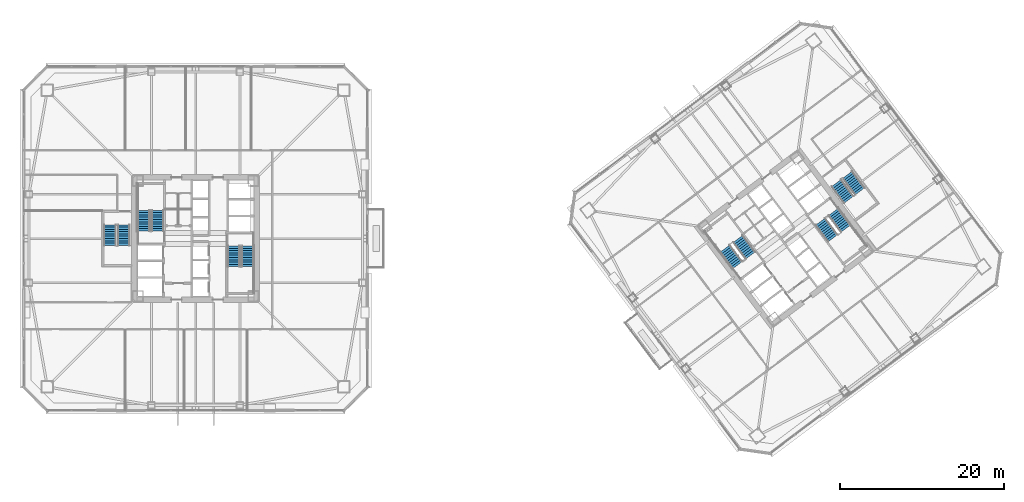
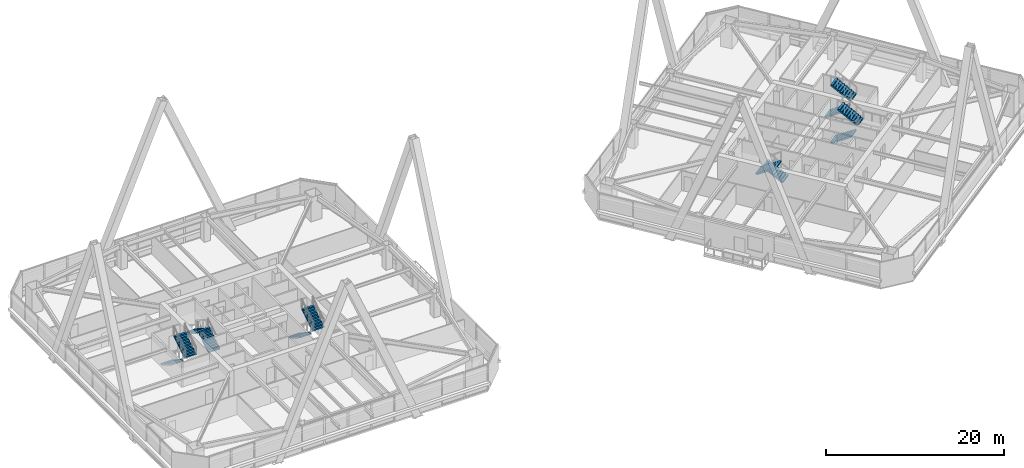
# One storey, part 47 of 54: 12 stair flights, 6 elements without a shape of their own.
"""IFC4 building model written with IfcOpenShell, lengths in metres."""

import ifcopenshell
import ifcopenshell.guid

model = None  # the IFC model being written
_history = None  # IfcOwnerHistory: only IFC2X3 demands one
_inside = {}  # id of a spatial element -> (the spatial element, [elements in it])
_under = {}  # id of a project, library or spatial element -> (it, [spatial elements below it])
_declared = {}  # id of a project -> (the project, [libraries it declares])
_typed = {}  # id of a type object -> (the type object, [elements of that type])
_made_of = {}  # id of a material, layer set ... -> (it, [elements and type objects made of it])


def new_model(schema):
    """Start an empty IFC model of exactly this schema.

    Asked for "IFC4X3", IfcOpenShell would pick the latest addendum, in which some entities
    have other attributes; the version numbers below select the first issue.
    IFC2X3 requires an IfcOwnerHistory on every rooted entity: one is made here for all.
    """
    global model, _history
    if schema == "IFC4X3":
        model = ifcopenshell.file(schema_version=(4, 3, 0, 0))
    else:
        model = ifcopenshell.file(schema=schema)
    _inside.clear()
    _under.clear()
    _declared.clear()
    _typed.clear()
    _made_of.clear()
    _history = None
    if model.schema == "IFC2X3":
        org = make("IfcOrganization", Name="unknown")
        user = make(
            "IfcPersonAndOrganization",
            ThePerson=make("IfcPerson", FamilyName="unknown"),
            TheOrganization=org,
        )
        app = make(
            "IfcApplication",
            ApplicationDeveloper=org,
            Version="unknown",
            ApplicationFullName="unknown",
            ApplicationIdentifier="unknown",
        )
        _history = make(
            "IfcOwnerHistory",
            OwningUser=user,
            OwningApplication=app,
            ChangeAction="ADDED",
            CreationDate=0,
        )
    return model


def make(cls, **values):
    """One entity of the class cls with the attributes given. An attribute that is None is left unset."""
    return model.create_entity(
        cls, **{name: value for name, value in values.items() if value is not None}
    )


def rooted(cls, **values):
    """An entity with a GlobalId (a new one), such as an element, a storey or a relation."""
    return make(cls, GlobalId=ifcopenshell.guid.new(), OwnerHistory=_history, **values)


def si_unit(unit_type, name, prefix=None):
    """IfcSIUnit, for example si_unit("LENGTHUNIT", "METRE", prefix="MILLI")."""
    return make("IfcSIUnit", UnitType=unit_type, Prefix=prefix, Name=name)


def assignment(units):
    """IfcUnitAssignment: the units of a project."""
    return None if units is None else make("IfcUnitAssignment", Units=units)


def point(xyz):
    """IfcCartesianPoint."""
    return None if xyz is None else make("IfcCartesianPoint", Coordinates=xyz)


def direction(xyz):
    """IfcDirection."""
    return None if xyz is None else make("IfcDirection", DirectionRatios=xyz)


def frame(location, z_axis=None, x_axis=None):
    """IfcAxis2Placement3D, a coordinate frame: its origin and axes. An axis left out is left unset."""
    return make(
        "IfcAxis2Placement3D",
        Location=point(location),
        Axis=direction(z_axis),
        RefDirection=direction(x_axis),
    )


def origin():
    """The frame at (0, 0, 0) with its axes left unset."""
    return frame((0.0, 0.0, 0.0))


def place(relative_to, where):
    """IfcLocalPlacement: puts the frame where relative to a parent placement (None: the world)."""
    return make(
        "IfcLocalPlacement", PlacementRelTo=relative_to, RelativePlacement=where
    )


def context(
    kind, dimensions, precision=None, world=None, true_north=None, identifier=None
):
    """IfcGeometricRepresentationContext, for example the 3D "Model" context."""
    return make(
        "IfcGeometricRepresentationContext",
        ContextIdentifier=identifier,
        ContextType=kind,
        CoordinateSpaceDimension=dimensions,
        Precision=precision,
        WorldCoordinateSystem=world,
        TrueNorth=true_north,
    )


def subcontext(parent, identifier, kind, view, scale=None):
    """IfcGeometricRepresentationSubContext, for example "Body" below "Model"."""
    return make(
        "IfcGeometricRepresentationSubContext",
        ContextIdentifier=identifier,
        ContextType=kind,
        ParentContext=parent,
        TargetScale=scale,
        TargetView=view,
    )


def project(units=None, contexts=None):
    """IfcProject with its units and contexts."""
    return rooted(
        "IfcProject",
        Name="project",
        RepresentationContexts=contexts,
        UnitsInContext=assignment(units),
    )


def spatial(cls, under=None, at=None, **own):
    """A site, building, storey or space (cls), placed at a placement, below another one or the project."""
    s = rooted(cls, ObjectPlacement=at, **own)
    if under is not None:
        _under.setdefault(under.id(), (under, []))[1].append(s)
    return s


def polyline(points):
    """IfcPolyline through the points."""
    return make("IfcPolyline", Points=[point(p) for p in points])


def outline(outer, holes=None, kind="AREA"):
    """IfcArbitraryClosedProfileDef: a profile drawn as a closed curve; with holes, ...WithVoids."""
    if holes is None:
        return make("IfcArbitraryClosedProfileDef", ProfileType=kind, OuterCurve=outer)
    return make(
        "IfcArbitraryProfileDefWithVoids",
        ProfileType=kind,
        OuterCurve=outer,
        InnerCurves=holes,
    )


def extrude(swept, where, along, depth):
    """IfcExtrudedAreaSolid: the profile swept, set in the frame where, extruded along a direction by depth."""
    return make(
        "IfcExtrudedAreaSolid",
        SweptArea=swept,
        Position=where,
        ExtrudedDirection=direction(along),
        Depth=depth,
    )


def shape(context_of_items, identifier, shape_type, items):
    """IfcShapeRepresentation: the items that make up one representation, for example the "Body"."""
    return make(
        "IfcShapeRepresentation",
        ContextOfItems=context_of_items,
        RepresentationIdentifier=identifier,
        RepresentationType=shape_type,
        Items=items,
    )


def material(Name=None, Category=None):
    """IfcMaterial."""
    return make("IfcMaterial", Name=Name, Category=Category)


def made_of(thing, what):
    """Note that an element or type object is made of a material, layer set ...; save() writes the relation."""
    if what is not None:
        _made_of.setdefault(what.id(), (what, []))[1].append(thing)
    return thing


def type_object(cls, material=None, **own):
    """A type object (cls), such as IfcWallType, which elements share."""
    return made_of(rooted(cls, **own), material)


def element(
    cls,
    number,
    at=None,
    inside=None,
    cuts=None,
    type_object=None,
    material=None,
    context=None,
    identifier="Body",
    shape_type=None,
    held_by="IfcProductDefinitionShape",
    body=None,
    shapes=None,
    **own,
):
    """One element of the class cls, such as IfcWall. Its Tag is "e" and its number.

    at: its placement. inside: the storey or other place that contains it. cuts: it is an
    opening in that element (IfcRelVoidsElement). A single representation is given by context,
    identifier, shape_type and body (its items); several are given by shapes. held_by: the class
    of the entity that holds the representations. save() writes the other relations.
    """
    e = rooted(cls, Tag="e%d" % number, ObjectPlacement=at, **own)
    if body is not None:
        shapes = [shape(context, identifier, shape_type, body)]
    if shapes is not None:
        e.Representation = make(held_by, Representations=shapes)
    if inside is not None:
        _inside.setdefault(inside.id(), (inside, []))[1].append(e)
    if cuts is not None:
        rooted(
            "IfcRelVoidsElement", RelatingBuildingElement=cuts, RelatedOpeningElement=e
        )
    if type_object is not None:
        _typed.setdefault(type_object.id(), (type_object, []))[1].append(e)
    return made_of(e, material)


def aggregate(whole, parts):
    """IfcRelAggregates: a whole, such as a stair, and the parts it consists of."""
    return rooted("IfcRelAggregates", RelatingObject=whole, RelatedObjects=parts)


def save(model, path):
    """Write the relations noted so far, then the file.

    IfcRelAggregates (storeys below a building ...), IfcRelContainedInSpatialStructure (elements
    in a storey), IfcRelDefinesByType, IfcRelAssociatesMaterial and IfcRelDeclares: one each for
    every whole, place, type object, material and project.
    """
    for whole, parts in _under.values():
        aggregate(whole, parts)
    for where, things in _inside.values():
        rooted(
            "IfcRelContainedInSpatialStructure",
            RelatedElements=things,
            RelatingStructure=where,
        )
    for kind, things in _typed.values():
        rooted("IfcRelDefinesByType", RelatedObjects=things, RelatingType=kind)
    for what, things in _made_of.values():
        rooted("IfcRelAssociatesMaterial", RelatedObjects=things, RelatingMaterial=what)
    for by, libraries in _declared.values():
        rooted("IfcRelDeclares", RelatingContext=by, RelatedDefinitions=libraries)
    model.write(path)


model = new_model("IFC4")

# Units and contexts
model_context = context("Model", 3, precision=1e-05, world=origin(), true_north=direction((0.0, 1.0)))
body_context = subcontext(model_context, "Body", "Model", "MODEL_VIEW")
ifc_project = project(units=[si_unit("LENGTHUNIT", "METRE"), si_unit("AREAUNIT", "SQUARE_METRE"), si_unit("VOLUMEUNIT", "CUBIC_METRE"), si_unit("PLANEANGLEUNIT", "RADIAN"), si_unit("MASSUNIT", "GRAM", prefix="KILO")], contexts=[model_context])

# Site, building, storey
site_placement = place(None, origin())
site = spatial("IfcSite", under=ifc_project, at=site_placement, CompositionType="ELEMENT")
building_placement = place(site_placement, origin())
building = spatial("IfcBuilding", under=site, at=building_placement, Name="Tashvorn Skyway Center", CompositionType="ELEMENT")
storey_placement = place(building_placement, frame((0.0, 0.0, 88.5)))
storey = spatial("IfcBuildingStorey", under=building, at=storey_placement, Name="L23", CompositionType="ELEMENT", Elevation=88.5)

# Stair, stair flights
ifc_material = material(Name="Concrete C40/50", Category="concrete")
stair_type = type_object("IfcStairType", Name="STAIR-CORE-1500", PredefinedType="HALF_TURN_STAIR", material=ifc_material)
stair_1_placement = place(storey_placement, origin())
stair_1 = element("IfcStair", 1, at=stair_1_placement, inside=storey, type_object=stair_type, Name="L23 Tower 1 Exit Stair 1", PredefinedType="HALF_TURN_STAIR")
stair_flight_type = type_object("IfcStairFlightType", Name="SFLIGHT-1500", PredefinedType="STRAIGHT", material=ifc_material)
stair_flight_1_placement = place(storey_placement, frame((37.35009765625, 32.919921875, 0.0), z_axis=(0.0, 0.0, 1.0), x_axis=(0.0, 1.0, 0.0)))
stair_flight_1 = element("IfcStairFlight", 2, at=stair_flight_1_placement, type_object=stair_flight_type, Name="ST-T1-1 flight 1", NumberOfRisers=10, NumberOfTreads=9, PredefinedType="STRAIGHT", RiserHeight=0.1775, TreadLength=0.28, context=body_context, shape_type="SweptSolid", body=[
    extrude(outline(polyline([(0.0, 0.0), (0.0, 0.177490234375), (0.280029296875, 0.177490234375), (0.280029296875, 0.35498046875), (0.56005859375, 0.35498046875), (0.56005859375, 0.532470703125), (0.840087890625, 0.532470703125), (0.840087890625, 0.7099609375), (1.1201171875, 0.7099609375), (1.1201171875, 0.887451171875), (1.39990234375, 0.887451171875), (1.39990234375, 1.06494140625), (1.679931640625, 1.06494140625), (1.679931640625, 1.242431640625), (1.9599609375, 1.242431640625), (1.9599609375, 1.419921875), (2.239990234375, 1.419921875), (2.239990234375, 1.597412109375), (2.52001953125, 1.597412109375), (2.52001953125, 1.77490234375), (2.52001953125, 1.419921875), (0.280029296875, 0.0), (0.0, 0.0)])), frame((0.0, 0.75, 0.0), z_axis=(0.0, -1.0, 0.0), x_axis=(1.0, 0.0, 0.0)), (0.0, 0.0, 1.0), 1.5),
])
stair_flight_2_placement = place(storey_placement, frame((35.64990234375, 35.43994140625, 1.77490234375), z_axis=(0.0, 0.0, 1.0), x_axis=(0.0, -1.0, 0.0)))
stair_flight_2 = element("IfcStairFlight", 3, at=stair_flight_2_placement, type_object=stair_flight_type, Name="ST-T1-1 flight 2", NumberOfRisers=10, NumberOfTreads=9, PredefinedType="STRAIGHT", RiserHeight=0.1775, TreadLength=0.28, context=body_context, shape_type="SweptSolid", body=[
    extrude(outline(polyline([(0.0, 0.0), (0.0, 0.177490234375), (0.280029296875, 0.177490234375), (0.280029296875, 0.35498046875), (0.56005859375, 0.35498046875), (0.56005859375, 0.532470703125), (0.840087890625, 0.532470703125), (0.840087890625, 0.7099609375), (1.1201171875, 0.7099609375), (1.1201171875, 0.887451171875), (1.39990234375, 0.887451171875), (1.39990234375, 1.06494140625), (1.679931640625, 1.06494140625), (1.679931640625, 1.242431640625), (1.9599609375, 1.242431640625), (1.9599609375, 1.419921875), (2.239990234375, 1.419921875), (2.239990234375, 1.597412109375), (2.52001953125, 1.597412109375), (2.52001953125, 1.77490234375), (2.52001953125, 1.419921875), (0.280029296875, 0.0), (0.0, 0.0)])), frame((0.0, 0.75, 0.0), z_axis=(0.0, -1.0, 0.0), x_axis=(1.0, 0.0, 0.0)), (0.0, 0.0, 1.0), 1.5),
])
aggregate(stair_1, [stair_flight_1, stair_flight_2])

stair_2_placement = place(storey_placement, origin())
stair_2 = element("IfcStair", 4, at=stair_2_placement, inside=storey, type_object=stair_type, Name="L23 Tower 1 Exit Stair 2", PredefinedType="HALF_TURN_STAIR")
stair_flight_3_placement = place(storey_placement, frame((46.64990234375, 31.080078125, 0.0), z_axis=(0.0, 0.0, 1.0), x_axis=(0.0, -1.0, 0.0)))
stair_flight_3 = element("IfcStairFlight", 5, at=stair_flight_3_placement, type_object=stair_flight_type, Name="ST-T1-2 flight 1", NumberOfRisers=10, NumberOfTreads=9, PredefinedType="STRAIGHT", RiserHeight=0.1775, TreadLength=0.28, context=body_context, shape_type="SweptSolid", body=[
    extrude(outline(polyline([(0.0, 0.0), (0.0, 0.177490234375), (0.280029296875, 0.177490234375), (0.280029296875, 0.35498046875), (0.56005859375, 0.35498046875), (0.56005859375, 0.532470703125), (0.840087890625, 0.532470703125), (0.840087890625, 0.7099609375), (1.1201171875, 0.7099609375), (1.1201171875, 0.887451171875), (1.39990234375, 0.887451171875), (1.39990234375, 1.06494140625), (1.679931640625, 1.06494140625), (1.679931640625, 1.242431640625), (1.9599609375, 1.242431640625), (1.9599609375, 1.419921875), (2.239990234375, 1.419921875), (2.239990234375, 1.597412109375), (2.52001953125, 1.597412109375), (2.52001953125, 1.77490234375), (2.52001953125, 1.419921875), (0.280029296875, 0.0), (0.0, 0.0)])), frame((0.0, 0.75, 0.0), z_axis=(0.0, -1.0, 0.0), x_axis=(1.0, 0.0, 0.0)), (0.0, 0.0, 1.0), 1.5),
])
stair_flight_4_placement = place(storey_placement, frame((48.35009765625, 28.56005859375, 1.77490234375), z_axis=(0.0, 0.0, 1.0), x_axis=(0.0, 1.0, 0.0)))
stair_flight_4 = element("IfcStairFlight", 6, at=stair_flight_4_placement, type_object=stair_flight_type, Name="ST-T1-2 flight 2", NumberOfRisers=10, NumberOfTreads=9, PredefinedType="STRAIGHT", RiserHeight=0.1775, TreadLength=0.28, context=body_context, shape_type="SweptSolid", body=[
    extrude(outline(polyline([(0.0, 0.0), (0.0, 0.177490234375), (0.280029296875, 0.177490234375), (0.280029296875, 0.35498046875), (0.56005859375, 0.35498046875), (0.56005859375, 0.532470703125), (0.840087890625, 0.532470703125), (0.840087890625, 0.7099609375), (1.1201171875, 0.7099609375), (1.1201171875, 0.887451171875), (1.39990234375, 0.887451171875), (1.39990234375, 1.06494140625), (1.679931640625, 1.06494140625), (1.679931640625, 1.242431640625), (1.9599609375, 1.242431640625), (1.9599609375, 1.419921875), (2.239990234375, 1.419921875), (2.239990234375, 1.597412109375), (2.52001953125, 1.597412109375), (2.52001953125, 1.77490234375), (2.52001953125, 1.419921875), (0.280029296875, 0.0), (0.0, 0.0)])), frame((0.0, 0.75, 0.0), z_axis=(0.0, -1.0, 0.0), x_axis=(1.0, 0.0, 0.0)), (0.0, 0.0, 1.0), 1.5),
])
aggregate(stair_2, [stair_flight_3, stair_flight_4])

stair_3_placement = place(storey_placement, origin())
stair_3 = element("IfcStair", 7, at=stair_3_placement, inside=storey, type_object=stair_type, Name="L23 Tower 2 Exit Stair 1", PredefinedType="HALF_TURN_STAIR")
stair_flight_5_placement = place(storey_placement, frame((109.72802734375, 29.946044921875, 0.0), z_axis=(0.0, 0.0, 1.0), x_axis=(-0.600000004945, 0.799999996291, 0.0)))
stair_flight_5 = element("IfcStairFlight", 8, at=stair_flight_5_placement, type_object=stair_flight_type, Name="ST-T2-1 flight 1", NumberOfRisers=10, NumberOfTreads=9, PredefinedType="STRAIGHT", RiserHeight=0.1775, TreadLength=0.28, context=body_context, shape_type="SweptSolid", body=[
    extrude(outline(polyline([(0.0, 0.0), (0.0, 0.177490234375), (0.280029296875, 0.177490234375), (0.280029296875, 0.35498046875), (0.56005859375, 0.35498046875), (0.56005859375, 0.532470703125), (0.840087890625, 0.532470703125), (0.840087890625, 0.7099609375), (1.1201171875, 0.7099609375), (1.1201171875, 0.887451171875), (1.39990234375, 0.887451171875), (1.39990234375, 1.06494140625), (1.679931640625, 1.06494140625), (1.679931640625, 1.242431640625), (1.9599609375, 1.242431640625), (1.9599609375, 1.419921875), (2.239990234375, 1.419921875), (2.239990234375, 1.597412109375), (2.52001953125, 1.597412109375), (2.52001953125, 1.77490234375), (2.52001953125, 1.419921875), (0.280029296875, 0.0), (0.0, 0.0)])), frame((0.0, 0.75, 0.0), z_axis=(0.0, -1.0, 0.0), x_axis=(1.0, 0.0, 0.0)), (0.0, 0.0, 1.0), 1.5),
])
stair_flight_6_placement = place(storey_placement, frame((106.632080078125, 30.77392578125, 1.77490234375), z_axis=(0.0, 0.0, 1.0), x_axis=(0.600000004945, -0.799999996291, 0.0)))
stair_flight_6 = element("IfcStairFlight", 9, at=stair_flight_6_placement, type_object=stair_flight_type, Name="ST-T2-1 flight 2", NumberOfRisers=10, NumberOfTreads=9, PredefinedType="STRAIGHT", RiserHeight=0.1775, TreadLength=0.28, context=body_context, shape_type="SweptSolid", body=[
    extrude(outline(polyline([(0.0, 0.0), (0.0, 0.177490234375), (0.280029296875, 0.177490234375), (0.280029296875, 0.35498046875), (0.56005859375, 0.35498046875), (0.56005859375, 0.532470703125), (0.840087890625, 0.532470703125), (0.840087890625, 0.7099609375), (1.1201171875, 0.7099609375), (1.1201171875, 0.887451171875), (1.39990234375, 0.887451171875), (1.39990234375, 1.06494140625), (1.679931640625, 1.06494140625), (1.679931640625, 1.242431640625), (1.9599609375, 1.242431640625), (1.9599609375, 1.419921875), (2.239990234375, 1.419921875), (2.239990234375, 1.597412109375), (2.52001953125, 1.597412109375), (2.52001953125, 1.77490234375), (2.52001953125, 1.419921875), (0.280029296875, 0.0), (0.0, 0.0)])), frame((0.0, 0.75, 0.0), z_axis=(0.0, -1.0, 0.0), x_axis=(1.0, 0.0, 0.0)), (0.0, 0.0, 1.0), 1.5),
])
aggregate(stair_3, [stair_flight_5, stair_flight_6])

stair_4_placement = place(storey_placement, origin())
stair_4 = element("IfcStair", 10, at=stair_4_placement, inside=storey, type_object=stair_type, Name="L23 Tower 2 Exit Stair 2", PredefinedType="HALF_TURN_STAIR")
stair_flight_7_placement = place(storey_placement, frame((118.27197265625, 34.053955078125, 0.0), z_axis=(0.0, 0.0, 1.0), x_axis=(0.600000004945, -0.799999996291, 0.0)))
stair_flight_7 = element("IfcStairFlight", 11, at=stair_flight_7_placement, type_object=stair_flight_type, Name="ST-T2-2 flight 1", NumberOfRisers=10, NumberOfTreads=9, PredefinedType="STRAIGHT", RiserHeight=0.1775, TreadLength=0.28, context=body_context, shape_type="SweptSolid", body=[
    extrude(outline(polyline([(0.0, 0.0), (0.0, 0.177490234375), (0.280029296875, 0.177490234375), (0.280029296875, 0.35498046875), (0.56005859375, 0.35498046875), (0.56005859375, 0.532470703125), (0.840087890625, 0.532470703125), (0.840087890625, 0.7099609375), (1.1201171875, 0.7099609375), (1.1201171875, 0.887451171875), (1.39990234375, 0.887451171875), (1.39990234375, 1.06494140625), (1.679931640625, 1.06494140625), (1.679931640625, 1.242431640625), (1.9599609375, 1.242431640625), (1.9599609375, 1.419921875), (2.239990234375, 1.419921875), (2.239990234375, 1.597412109375), (2.52001953125, 1.597412109375), (2.52001953125, 1.77490234375), (2.52001953125, 1.419921875), (0.280029296875, 0.0), (0.0, 0.0)])), frame((0.0, 0.75, 0.0), z_axis=(0.0, -1.0, 0.0), x_axis=(1.0, 0.0, 0.0)), (0.0, 0.0, 1.0), 1.5),
])
stair_flight_8_placement = place(storey_placement, frame((121.367919921875, 33.22607421875, 1.77490234375), z_axis=(0.0, 0.0, 1.0), x_axis=(-0.600000004945, 0.799999996291, 0.0)))
stair_flight_8 = element("IfcStairFlight", 12, at=stair_flight_8_placement, type_object=stair_flight_type, Name="ST-T2-2 flight 2", NumberOfRisers=10, NumberOfTreads=9, PredefinedType="STRAIGHT", RiserHeight=0.1775, TreadLength=0.28, context=body_context, shape_type="SweptSolid", body=[
    extrude(outline(polyline([(0.0, 0.0), (0.0, 0.177490234375), (0.280029296875, 0.177490234375), (0.280029296875, 0.35498046875), (0.56005859375, 0.35498046875), (0.56005859375, 0.532470703125), (0.840087890625, 0.532470703125), (0.840087890625, 0.7099609375), (1.1201171875, 0.7099609375), (1.1201171875, 0.887451171875), (1.39990234375, 0.887451171875), (1.39990234375, 1.06494140625), (1.679931640625, 1.06494140625), (1.679931640625, 1.242431640625), (1.9599609375, 1.242431640625), (1.9599609375, 1.419921875), (2.239990234375, 1.419921875), (2.239990234375, 1.597412109375), (2.52001953125, 1.597412109375), (2.52001953125, 1.77490234375), (2.52001953125, 1.419921875), (0.280029296875, 0.0), (0.0, 0.0)])), frame((0.0, 0.75, 0.0), z_axis=(0.0, -1.0, 0.0), x_axis=(1.0, 0.0, 0.0)), (0.0, 0.0, 1.0), 1.5),
])
aggregate(stair_4, [stair_flight_7, stair_flight_8])

stair_5_placement = place(storey_placement, origin())
stair_5 = element("IfcStair", 13, at=stair_5_placement, inside=storey, type_object=stair_type, Name="L23 Tower 1 Exit Stair 3", PredefinedType="HALF_TURN_STAIR")
stair_flight_9_placement = place(storey_placement, frame((31.550048828125, 33.679931640625, 0.0), z_axis=(0.0, 0.0, 1.0), x_axis=(0.0, -1.0, 0.0)))
stair_flight_9 = element("IfcStairFlight", 14, at=stair_flight_9_placement, type_object=stair_flight_type, Name="ST-T1-3 flight 1", NumberOfRisers=10, NumberOfTreads=9, PredefinedType="STRAIGHT", RiserHeight=0.1775, TreadLength=0.28, context=body_context, shape_type="SweptSolid", body=[
    extrude(outline(polyline([(0.0, 0.0), (0.0, 0.177490234375), (0.280029296875, 0.177490234375), (0.280029296875, 0.35498046875), (0.56005859375, 0.35498046875), (0.56005859375, 0.532470703125), (0.840087890625, 0.532470703125), (0.840087890625, 0.7099609375), (1.1201171875, 0.7099609375), (1.1201171875, 0.887451171875), (1.39990234375, 0.887451171875), (1.39990234375, 1.06494140625), (1.679931640625, 1.06494140625), (1.679931640625, 1.242431640625), (1.9599609375, 1.242431640625), (1.9599609375, 1.419921875), (2.239990234375, 1.419921875), (2.239990234375, 1.597412109375), (2.52001953125, 1.597412109375), (2.52001953125, 1.77490234375), (2.52001953125, 1.419921875), (0.280029296875, 0.0), (0.0, 0.0)])), frame((0.0, 0.75, 0.0), z_axis=(0.0, -1.0, 0.0), x_axis=(1.0, 0.0, 0.0)), (0.0, 0.0, 1.0), 1.5),
])
stair_flight_10_placement = place(storey_placement, frame((33.25, 31.159912109375, 1.77490234375), z_axis=(0.0, 0.0, 1.0), x_axis=(0.0, 1.0, 0.0)))
stair_flight_10 = element("IfcStairFlight", 15, at=stair_flight_10_placement, type_object=stair_flight_type, Name="ST-T1-3 flight 2", NumberOfRisers=10, NumberOfTreads=9, PredefinedType="STRAIGHT", RiserHeight=0.1775, TreadLength=0.28, context=body_context, shape_type="SweptSolid", body=[
    extrude(outline(polyline([(0.0, 0.0), (0.0, 0.177490234375), (0.280029296875, 0.177490234375), (0.280029296875, 0.35498046875), (0.56005859375, 0.35498046875), (0.56005859375, 0.532470703125), (0.840087890625, 0.532470703125), (0.840087890625, 0.7099609375), (1.1201171875, 0.7099609375), (1.1201171875, 0.887451171875), (1.39990234375, 0.887451171875), (1.39990234375, 1.06494140625), (1.679931640625, 1.06494140625), (1.679931640625, 1.242431640625), (1.9599609375, 1.242431640625), (1.9599609375, 1.419921875), (2.239990234375, 1.419921875), (2.239990234375, 1.597412109375), (2.52001953125, 1.597412109375), (2.52001953125, 1.77490234375), (2.52001953125, 1.419921875), (0.280029296875, 0.0), (0.0, 0.0)])), frame((0.0, 0.75, 0.0), z_axis=(0.0, -1.0, 0.0), x_axis=(1.0, 0.0, 0.0)), (0.0, 0.0, 1.0), 1.5),
])
aggregate(stair_5, [stair_flight_9, stair_flight_10])

stair_6_placement = place(storey_placement, origin())
stair_6 = element("IfcStair", 16, at=stair_6_placement, inside=storey, type_object=stair_type, Name="L23 Tower 2 Exit Stair 3", PredefinedType="HALF_TURN_STAIR")
stair_flight_11_placement = place(storey_placement, frame((120.216064453125, 38.761962890625, 0.0), z_axis=(0.0, 0.0, 1.0), x_axis=(0.600000004945, -0.799999996291, 0.0)))
stair_flight_11 = element("IfcStairFlight", 17, at=stair_flight_11_placement, type_object=stair_flight_type, Name="ST-T2-3 flight 1", NumberOfRisers=10, NumberOfTreads=9, PredefinedType="STRAIGHT", RiserHeight=0.1775, TreadLength=0.28, context=body_context, shape_type="SweptSolid", body=[
    extrude(outline(polyline([(0.0, 0.0), (0.0, 0.177490234375), (0.280029296875, 0.177490234375), (0.280029296875, 0.35498046875), (0.56005859375, 0.35498046875), (0.56005859375, 0.532470703125), (0.840087890625, 0.532470703125), (0.840087890625, 0.7099609375), (1.1201171875, 0.7099609375), (1.1201171875, 0.887451171875), (1.39990234375, 0.887451171875), (1.39990234375, 1.06494140625), (1.679931640625, 1.06494140625), (1.679931640625, 1.242431640625), (1.9599609375, 1.242431640625), (1.9599609375, 1.419921875), (2.239990234375, 1.419921875), (2.239990234375, 1.597412109375), (2.52001953125, 1.597412109375), (2.52001953125, 1.77490234375), (2.52001953125, 1.419921875), (0.280029296875, 0.0), (0.0, 0.0)])), frame((0.0, 0.75, 0.0), z_axis=(0.0, -1.0, 0.0), x_axis=(1.0, 0.0, 0.0)), (0.0, 0.0, 1.0), 1.5),
])
stair_flight_12_placement = place(storey_placement, frame((123.087890625, 37.76611328125, 1.77490234375), z_axis=(0.0, 0.0, 1.0), x_axis=(-0.600000004945, 0.799999996291, 0.0)))
stair_flight_12 = element("IfcStairFlight", 18, at=stair_flight_12_placement, type_object=stair_flight_type, Name="ST-T2-3 flight 2", NumberOfRisers=10, NumberOfTreads=9, PredefinedType="STRAIGHT", RiserHeight=0.1775, TreadLength=0.28, context=body_context, shape_type="SweptSolid", body=[
    extrude(outline(polyline([(0.0, 0.0), (0.0, 0.177490234375), (0.280029296875, 0.177490234375), (0.280029296875, 0.35498046875), (0.56005859375, 0.35498046875), (0.56005859375, 0.532470703125), (0.840087890625, 0.532470703125), (0.840087890625, 0.7099609375), (1.1201171875, 0.7099609375), (1.1201171875, 0.887451171875), (1.39990234375, 0.887451171875), (1.39990234375, 1.06494140625), (1.679931640625, 1.06494140625), (1.679931640625, 1.242431640625), (1.9599609375, 1.242431640625), (1.9599609375, 1.419921875), (2.239990234375, 1.419921875), (2.239990234375, 1.597412109375), (2.52001953125, 1.597412109375), (2.52001953125, 1.77490234375), (2.52001953125, 1.419921875), (0.280029296875, 0.0), (0.0, 0.0)])), frame((0.0, 0.75, 0.0), z_axis=(0.0, -1.0, 0.0), x_axis=(1.0, 0.0, 0.0)), (0.0, 0.0, 1.0), 1.5),
])
aggregate(stair_6, [stair_flight_11, stair_flight_12])

save(model, "model.ifc")
